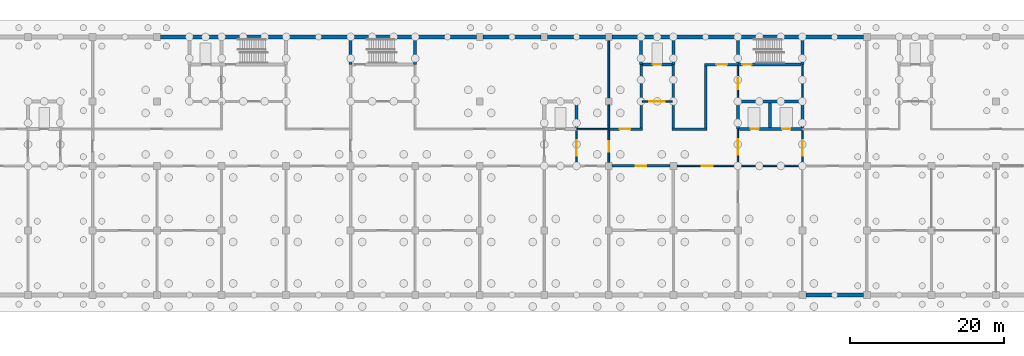
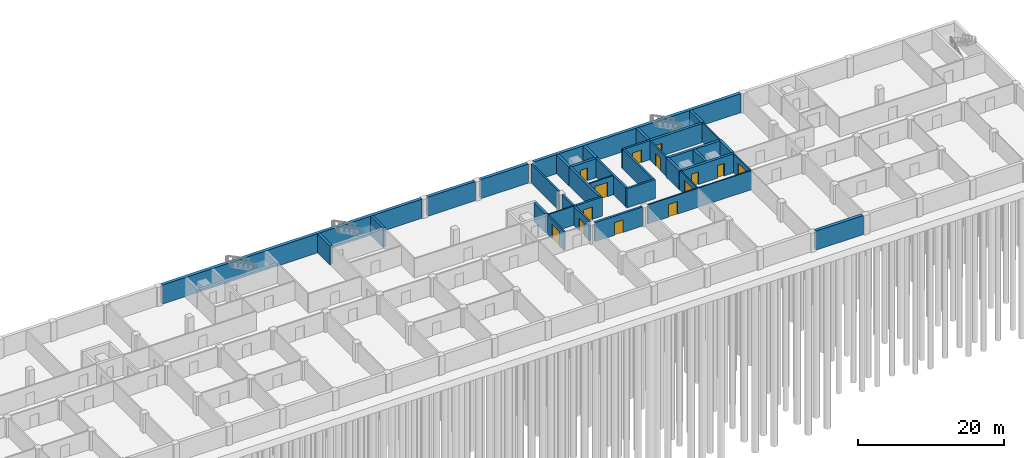
# One storey, part 7 of 11: 37 walls, 14 doors, 14 openings.
"""IFC4 building model written with IfcOpenShell, lengths in metres."""

from ifc_helpers import new_model, si_unit, direction, frame, frame_2d, origin, place, context, subcontext, project, spatial, rectangle, extrude, material, layer, layer_set, type_object, element, fill, save


model = new_model("IFC4")

# Units and contexts
model_context = context("Model", 3, precision=1e-05, world=origin(), true_north=direction((0.0, 1.0)))
body_context = subcontext(model_context, "Body", "Model", "MODEL_VIEW")
ifc_project = project(units=[si_unit("LENGTHUNIT", "METRE"), si_unit("AREAUNIT", "SQUARE_METRE"), si_unit("VOLUMEUNIT", "CUBIC_METRE"), si_unit("PLANEANGLEUNIT", "RADIAN"), si_unit("MASSUNIT", "GRAM", prefix="KILO")], contexts=[model_context])

# Site, building, storey
site_placement = place(None, origin())
site = spatial("IfcSite", under=ifc_project, at=site_placement, CompositionType="ELEMENT")
building_placement = place(site_placement, origin())
building = spatial("IfcBuilding", under=site, at=building_placement, Name="Yavir Park General Hospital", CompositionType="ELEMENT")
storey_placement = place(building_placement, frame((0.0, 0.0, -15.0)))
storey = spatial("IfcBuildingStorey", under=building, at=storey_placement, Name="B4", CompositionType="ELEMENT", Elevation=-15.0)

# Wall, opening, door
ifc_material_1 = material(Name="Block wall with 100 mm insulated panel lining")
ifc_layer_1 = layer(ifc_material_1, 0.320068359375)
ifc_layer_set_1 = layer_set([ifc_layer_1], Name="Block wall with 100 mm insulated panel lining")
wall_type_1 = type_object("IfcWallType", Name="Cold-store insulated wall 320, EI 60", PredefinedType="SOLIDWALL", material=ifc_layer_set_1)
wall_1_placement = place(storey_placement, frame((101.25, 16.800048828125, 0.0), z_axis=(0.0, 0.0, 1.0), x_axis=(1.0, 0.0, 0.0)))
wall_1 = element("IfcWall", 1, at=wall_1_placement, inside=storey, type_object=wall_type_1, Name="CS320 B4-021", PredefinedType="SOLIDWALL", context=body_context, shape_type="SweptSolid", body=[
    extrude(rectangle(XDim=7.5, YDim=0.320068359375, at=frame_2d((3.75, 0.0))), origin(), (0.0, 0.0, 1.0), 3.199951171875),
])
opening_1_placement = place(wall_1_placement, frame((3.050048828125, 0.0, 0.0)))
opening_1 = element("IfcOpeningElement", 2, at=opening_1_placement, cuts=wall_1, Name="Opening B4.D023", PredefinedType="OPENING", context=body_context, shape_type="SweptSolid", body=[
    extrude(rectangle(XDim=1.39990234375, YDim=2.10009765625, at=frame_2d((0.699951171875, 1.050048828125))), frame((0.0, 0.169921875, 0.0), z_axis=(0.0, -1.0, 0.0), x_axis=(1.0, 0.0, 0.0)), (0.0, 0.0, 1.0), 0.340087890625),
])
ifc_material_2 = material(Name="Insulated sandwich-panel leaves, 100 mm polyurethane core")
door_type_1 = type_object("IfcDoorType", Name="Insulated cold-store door 1400 x 2100, EI 60", OperationType="DOUBLE_DOOR_SINGLE_SWING", PredefinedType="DOOR", material=ifc_material_2)
door_1_placement = place(opening_1_placement, origin())
door_1 = element("IfcDoor", 3, at=door_1_placement, inside=storey, type_object=door_type_1, Name="B4.D023", OperationType="SINGLE_SWING_LEFT", OverallHeight=2.10009765625, OverallWidth=1.39990234375, PredefinedType="DOOR", context=body_context, shape_type="SweptSolid", body=[
    extrude(rectangle(XDim=1.39990234375, YDim=2.10009765625, at=frame_2d((0.699951171875, 1.050048828125))), frame((0.0, 0.050048828125, 0.0), z_axis=(0.0, -1.0, 0.0), x_axis=(1.0, 0.0, 0.0)), (0.0, 0.0, 1.0), 0.10009765625),
])
fill(opening_1, door_1)

wall_2_placement = place(storey_placement, frame((100.800048828125, 21.60009765625, 0.0), z_axis=(0.0, 0.0, 1.0), x_axis=(1.0, 0.0, 0.0)))
wall_2 = element("IfcWall", 4, at=wall_2_placement, inside=storey, type_object=wall_type_1, Name="CS320 B4-035", PredefinedType="SOLIDWALL", context=body_context, shape_type="SweptSolid", body=[
    extrude(rectangle(XDim=4.35986328125, YDim=0.320068359375, at=frame_2d((2.179931640625, 0.0))), origin(), (0.0, 0.0, 1.0), 3.199951171875),
])
opening_2_placement = place(wall_2_placement, frame((1.39990234375, 0.0, 0.0)))
opening_2 = element("IfcOpeningElement", 5, at=opening_2_placement, cuts=wall_2, Name="Opening B4.D037", PredefinedType="OPENING", context=body_context, shape_type="SweptSolid", body=[
    extrude(rectangle(XDim=1.39990234375, YDim=2.10009765625, at=frame_2d((0.699951171875, 1.050048828125))), frame((0.0, 0.169921875, 0.0), z_axis=(0.0, -1.0, 0.0), x_axis=(1.0, 0.0, 0.0)), (0.0, 0.0, 1.0), 0.340087890625),
])
door_2_placement = place(opening_2_placement, origin())
door_2 = element("IfcDoor", 6, at=door_2_placement, inside=storey, type_object=door_type_1, Name="B4.D037", OperationType="SINGLE_SWING_RIGHT", OverallHeight=2.10009765625, OverallWidth=1.39990234375, PredefinedType="DOOR", context=body_context, shape_type="SweptSolid", body=[
    extrude(rectangle(XDim=1.39990234375, YDim=2.10009765625, at=frame_2d((0.699951171875, 1.050048828125))), frame((0.0, 0.050048828125, 0.0), z_axis=(0.0, -1.0, 0.0), x_axis=(1.0, 0.0, 0.0)), (0.0, 0.0, 1.0), 0.10009765625),
])
fill(opening_2, door_2)

# Wall
wall_3_placement = place(storey_placement, frame((109.0400390625, 21.60009765625, 0.0), z_axis=(0.0, 0.0, 1.0), x_axis=(1.0, 0.0, 0.0)))
element("IfcWall", 7, at=wall_3_placement, inside=storey, type_object=wall_type_1, Name="CS320 B4-036", PredefinedType="SOLIDWALL", context=body_context, shape_type="SweptSolid", body=[
    extrude(rectangle(XDim=4.52001953125, YDim=0.320068359375, at=frame_2d((2.260009765625, 0.0))), origin(), (0.0, 0.0, 1.0), 3.199951171875),
])

# Wall, opening, door
wall_4_placement = place(storey_placement, frame((113.239990234375, 30.0, 0.0), z_axis=(0.0, 0.0, 1.0), x_axis=(1.0, 0.0, 0.0)))
wall_4 = element("IfcWall", 8, at=wall_4_placement, inside=storey, type_object=wall_type_1, Name="CS320 B4-054", PredefinedType="SOLIDWALL", context=body_context, shape_type="SweptSolid", body=[
    extrude(rectangle(XDim=4.360107421875, YDim=0.320068359375, at=frame_2d((2.18017578125, 0.0))), origin(), (0.0, 0.0, 1.0), 3.199951171875),
])
opening_3_placement = place(wall_4_placement, frame((1.56005859375, 0.0, 0.0)))
opening_3 = element("IfcOpeningElement", 9, at=opening_3_placement, cuts=wall_4, Name="Opening B4.D053", PredefinedType="OPENING", context=body_context, shape_type="SweptSolid", body=[
    extrude(rectangle(XDim=1.39990234375, YDim=2.10009765625, at=frame_2d((0.699951171875, 1.050048828125))), frame((0.0, 0.169921875, 0.0), z_axis=(0.0, -1.0, 0.0), x_axis=(1.0, 0.0, 0.0)), (0.0, 0.0, 1.0), 0.340087890625),
])
door_3_placement = place(opening_3_placement, origin())
door_3 = element("IfcDoor", 10, at=door_3_placement, inside=storey, type_object=door_type_1, Name="B4.D053", OperationType="SINGLE_SWING_LEFT", OverallHeight=2.10009765625, OverallWidth=1.39990234375, PredefinedType="DOOR", context=body_context, shape_type="SweptSolid", body=[
    extrude(rectangle(XDim=1.39990234375, YDim=2.10009765625, at=frame_2d((0.699951171875, 1.050048828125))), frame((0.0, 0.050048828125, 0.0), z_axis=(0.0, -1.0, 0.0), x_axis=(1.0, 0.0, 0.0)), (0.0, 0.0, 1.0), 0.10009765625),
])
fill(opening_3, door_3)

# Walls
for number, where, z_axis, x_axis, name in (
    (11, (105.0, 21.760009765625, 0.0), (0.0, 0.0, 1.0), (0.0, 1.0, 0.0), "CS320 B4-109"),
    (12, (109.199951171875, 21.760009765625, 0.0), (0.0, 0.0, 1.0), (0.0, 1.0, 0.0), "CS320 B4-113"),
):
    element("IfcWall", number, at=place(storey_placement, frame(where, z_axis=z_axis, x_axis=x_axis)), inside=storey, type_object=wall_type_1, Name=name, PredefinedType="SOLIDWALL", context=body_context, shape_type="SweptSolid", body=[
        extrude(rectangle(XDim=8.239990234375, YDim=0.320068359375, at=frame_2d((4.1201171875, 0.0))), origin(), (0.0, 0.0, 1.0), 3.199951171875),
    ])
wall_5_placement = place(storey_placement, frame((113.39990234375, 21.760009765625, 0.0), z_axis=(0.0, 0.0, 1.0), x_axis=(0.0, 1.0, 0.0)))
element("IfcWall", 13, at=wall_5_placement, inside=storey, type_object=wall_type_1, Name="CS320 B4-115", PredefinedType="SOLIDWALL", context=body_context, shape_type="SweptSolid", body=[
    extrude(rectangle(XDim=8.080078125, YDim=0.320068359375, at=frame_2d((4.0400390625, 0.0))), origin(), (0.0, 0.0, 1.0), 3.199951171875),
])

# Wall, opening, door
ifc_material_3 = material(Name="Concrete C30/37", Category="concrete")
ifc_layer_2 = layer(ifc_material_3, 0.25)
ifc_layer_set_2 = layer_set([ifc_layer_2], Name="Concrete C30/37")
wall_type_2 = type_object("IfcWallType", Name="Compartment fire wall 250, REI 150", PredefinedType="SOLIDWALL", material=ifc_layer_set_2)
wall_6_placement = place(storey_placement, frame((100.800048828125, 17.25, 0.0), z_axis=(0.0, 0.0, 1.0), x_axis=(0.0, 1.0, 0.0)))
wall_6 = element("IfcWall", 14, at=wall_6_placement, inside=storey, type_object=wall_type_2, Name="FW25 B4-106", PredefinedType="SOLIDWALL", context=body_context, shape_type="SweptSolid", body=[
    extrude(rectangle(XDim=4.18994140625, YDim=0.25, at=frame_2d((2.094970703125, 0.0))), origin(), (0.0, 0.0, 1.0), 3.199951171875),
])
opening_4_placement = place(wall_6_placement, frame((1.39501953125, 0.0, 0.0)))
opening_4 = element("IfcOpeningElement", 15, at=opening_4_placement, cuts=wall_6, Name="Opening B4.D064", PredefinedType="OPENING", context=body_context, shape_type="SweptSolid", body=[
    extrude(rectangle(XDim=1.39990234375, YDim=2.10009765625, at=frame_2d((0.699951171875, 1.050048828125))), frame((0.0, 0.135009765625, 0.0), z_axis=(0.0, -1.0, 0.0), x_axis=(1.0, 0.0, 0.0)), (0.0, 0.0, 1.0), 0.27001953125),
])
ifc_material_4 = material(Name="Steel frame, fire-resisting leaves with vision panels", Category="steel")
door_type_2 = type_object("IfcDoorType", Name="Double fire door with vision panels 1400 x 2100, EI 60", OperationType="DOUBLE_DOOR_SINGLE_SWING", PredefinedType="DOOR", material=ifc_material_4)
door_4_placement = place(opening_4_placement, origin())
door_4 = element("IfcDoor", 16, at=door_4_placement, inside=storey, type_object=door_type_2, Name="B4.D064", OperationType="SINGLE_SWING_RIGHT", OverallHeight=2.10009765625, OverallWidth=1.39990234375, PredefinedType="DOOR", context=body_context, shape_type="SweptSolid", body=[
    extrude(rectangle(XDim=1.39990234375, YDim=2.10009765625, at=frame_2d((0.699951171875, 1.050048828125))), frame((0.0, 0.030029296875, 0.0), z_axis=(0.0, -1.0, 0.0), x_axis=(1.0, 0.0, 0.0)), (0.0, 0.0, 1.0), 0.06005859375),
])
fill(opening_4, door_4)

# Walls
wall_7_placement = place(storey_placement, frame((100.800048828125, 21.760009765625, 0.0), z_axis=(0.0, 0.0, 1.0), x_axis=(0.0, 1.0, 0.0)))
element("IfcWall", 17, at=wall_7_placement, inside=storey, type_object=wall_type_2, Name="FW25 B4-107", PredefinedType="SOLIDWALL", context=body_context, shape_type="SweptSolid", body=[
    extrude(rectangle(XDim=2.989990234375, YDim=0.25, at=frame_2d((1.4951171875, 0.0))), origin(), (0.0, 0.0, 1.0), 3.199951171875),
])
wall_8_placement = place(storey_placement, frame((100.800048828125, 25.64990234375, 0.0), z_axis=(0.0, 0.0, 1.0), x_axis=(0.0, 1.0, 0.0)))
element("IfcWall", 18, at=wall_8_placement, inside=storey, type_object=wall_type_2, Name="FW25 B4-108", PredefinedType="SOLIDWALL", context=body_context, shape_type="SweptSolid", body=[
    extrude(rectangle(XDim=7.5, YDim=0.25, at=frame_2d((3.75, 0.0))), origin(), (0.0, 0.0, 1.0), 3.199951171875),
])

# Wall, opening, door
ifc_material_5 = material(Name="Double gypsum board fire partition on steel studs", Category="steel")
ifc_layer_3 = layer(ifc_material_5, 0.199951171875)
ifc_layer_set_3 = layer_set([ifc_layer_3], Name="Double gypsum board fire partition on steel studs")
wall_type_3 = type_object("IfcWallType", Name="Fire-rated partition 200, EI 60", PredefinedType="PARTITIONING", material=ifc_layer_set_3)
wall_9_placement = place(storey_placement, frame((109.64990234375, 16.800048828125, 0.0), z_axis=(0.0, 0.0, 1.0), x_axis=(1.0, 0.0, 0.0)))
wall_9 = element("IfcWall", 19, at=wall_9_placement, inside=storey, type_object=wall_type_3, Name="FP20 B4-022", PredefinedType="PARTITIONING", context=body_context, shape_type="SweptSolid", body=[
    extrude(rectangle(XDim=16.35009765625, YDim=0.199951171875, at=frame_2d((8.175048828125, 0.0))), origin(), (0.0, 0.0, 1.0), 3.199951171875),
])
opening_5_placement = place(wall_9_placement, frame((3.27490234375, 0.0, 0.0)))
opening_5 = element("IfcOpeningElement", 20, at=opening_5_placement, cuts=wall_9, Name="Opening B4.D024", PredefinedType="OPENING", context=body_context, shape_type="SweptSolid", body=[
    extrude(rectangle(XDim=1.39990234375, YDim=2.10009765625, at=frame_2d((0.699951171875, 1.050048828125))), frame((0.0, 0.10986328125, 0.0), z_axis=(0.0, -1.0, 0.0), x_axis=(1.0, 0.0, 0.0)), (0.0, 0.0, 1.0), 0.219970703125),
])
ifc_material_6 = material(Name="Steel frame, fire-resisting timber leaves", Category="steel")
door_type_3 = type_object("IfcDoorType", Name="Double fire door 1400 x 2100, EI 60", OperationType="DOUBLE_DOOR_SINGLE_SWING", PredefinedType="DOOR", material=ifc_material_6)
door_5_placement = place(opening_5_placement, origin())
door_5 = element("IfcDoor", 21, at=door_5_placement, inside=storey, type_object=door_type_3, Name="B4.D024", OperationType="SINGLE_SWING_RIGHT", OverallHeight=2.10009765625, OverallWidth=1.39990234375, PredefinedType="DOOR", context=body_context, shape_type="SweptSolid", body=[
    extrude(rectangle(XDim=1.39990234375, YDim=2.10009765625, at=frame_2d((0.699951171875, 1.050048828125))), frame((0.0, 0.02490234375, 0.0), z_axis=(0.0, -1.0, 0.0), x_axis=(1.0, 0.0, 0.0)), (0.0, 0.0, 1.0), 0.050048828125),
])
fill(opening_5, door_5)

# Wall
wall_10_placement = place(storey_placement, frame((96.60009765625, 21.60009765625, 0.0), z_axis=(0.0, 0.0, 1.0), x_axis=(1.0, 0.0, 0.0)))
element("IfcWall", 22, at=wall_10_placement, inside=storey, type_object=wall_type_3, Name="FP20 B4-034", PredefinedType="PARTITIONING", context=body_context, shape_type="SweptSolid", body=[
    extrude(rectangle(XDim=4.199951171875, YDim=0.199951171875, at=frame_2d((2.10009765625, 0.0))), origin(), (0.0, 0.0, 1.0), 3.199951171875),
])

# Wall, opening, door
wall_11_placement = place(storey_placement, frame((105.159912109375, 25.199951171875, 0.0), z_axis=(0.0, 0.0, 1.0), x_axis=(1.0, 0.0, 0.0)))
wall_11 = element("IfcWall", 23, at=wall_11_placement, inside=storey, type_object=wall_type_3, Name="FP20 B4-046", PredefinedType="PARTITIONING", context=body_context, shape_type="SweptSolid", body=[
    extrude(rectangle(XDim=3.880126953125, YDim=0.199951171875, at=frame_2d((1.93994140625, 0.0))), origin(), (0.0, 0.0, 1.0), 3.199951171875),
])
opening_6_placement = place(wall_11_placement, frame((0.93994140625, 0.0, 0.0)))
opening_6 = element("IfcOpeningElement", 24, at=opening_6_placement, cuts=wall_11, Name="Opening B4.D046", PredefinedType="OPENING", context=body_context, shape_type="SweptSolid", body=[
    extrude(rectangle(XDim=2.0, YDim=2.39990234375, at=frame_2d((1.0, 1.199951171875))), frame((0.0, 0.10986328125, 0.0), z_axis=(0.0, -1.0, 0.0), x_axis=(1.0, 0.0, 0.0)), (0.0, 0.0, 1.0), 0.219970703125),
])
ifc_material_7 = material(Name="Steel frame, fire-resisting leaves with vision panels", Category="steel")
door_type_4 = type_object("IfcDoorType", Name="Double fire door with vision panels 2000 x 2400, EI 60", OperationType="DOUBLE_DOOR_SINGLE_SWING", PredefinedType="DOOR", material=ifc_material_7)
door_6_placement = place(opening_6_placement, origin())
door_6 = element("IfcDoor", 25, at=door_6_placement, inside=storey, type_object=door_type_4, Name="B4.D046", OperationType="SINGLE_SWING_LEFT", OverallHeight=2.39990234375, OverallWidth=2.0, PredefinedType="DOOR", context=body_context, shape_type="SweptSolid", body=[
    extrude(rectangle(XDim=2.0, YDim=2.39990234375, at=frame_2d((1.0, 1.199951171875))), frame((0.0, 0.030029296875, 0.0), z_axis=(0.0, -1.0, 0.0), x_axis=(1.0, 0.0, 0.0)), (0.0, 0.0, 1.0), 0.06005859375),
])
fill(opening_6, door_6)

wall_12_placement = place(storey_placement, frame((96.60009765625, 16.89990234375, 0.0), z_axis=(0.0, 0.0, 1.0), x_axis=(0.0, 1.0, 0.0)))
wall_12 = element("IfcWall", 26, at=wall_12_placement, inside=storey, type_object=wall_type_3, Name="FP20 B4-102", PredefinedType="PARTITIONING", context=body_context, shape_type="SweptSolid", body=[
    extrude(rectangle(XDim=4.5, YDim=0.199951171875, at=frame_2d((2.25, 0.0))), origin(), (0.0, 0.0, 1.0), 3.199951171875),
])
opening_7_placement = place(wall_12_placement, frame((1.25, 0.0, 0.0)))
opening_7 = element("IfcOpeningElement", 27, at=opening_7_placement, cuts=wall_12, Name="Opening B4.D063", PredefinedType="OPENING", context=body_context, shape_type="SweptSolid", body=[
    extrude(rectangle(XDim=2.0, YDim=2.39990234375, at=frame_2d((1.0, 1.199951171875))), frame((0.0, 0.10986328125, 0.0), z_axis=(0.0, -1.0, 0.0), x_axis=(1.0, 0.0, 0.0)), (0.0, 0.0, 1.0), 0.219970703125),
])
door_7_placement = place(opening_7_placement, origin())
door_7 = element("IfcDoor", 28, at=door_7_placement, inside=storey, type_object=door_type_4, Name="B4.D063", OperationType="SINGLE_SWING_LEFT", OverallHeight=2.39990234375, OverallWidth=2.0, PredefinedType="DOOR", context=body_context, shape_type="SweptSolid", body=[
    extrude(rectangle(XDim=2.0, YDim=2.39990234375, at=frame_2d((1.0, 1.199951171875))), frame((0.0, 0.030029296875, 0.0), z_axis=(0.0, -1.0, 0.0), x_axis=(1.0, 0.0, 0.0)), (0.0, 0.0, 1.0), 0.06005859375),
])
fill(opening_7, door_7)

wall_13_placement = place(storey_placement, frame((117.60009765625, 16.89990234375, 0.0), z_axis=(0.0, 0.0, 1.0), x_axis=(0.0, 1.0, 0.0)))
wall_13 = element("IfcWall", 29, at=wall_13_placement, inside=storey, type_object=wall_type_3, Name="FP20 B4-118", PredefinedType="PARTITIONING", context=body_context, shape_type="SweptSolid", body=[
    extrude(rectangle(XDim=4.7001953125, YDim=0.199951171875, at=frame_2d((2.35009765625, 0.0))), origin(), (0.0, 0.0, 1.0), 3.199951171875),
])
opening_8_placement = place(wall_13_placement, frame((1.35009765625, 0.0, 0.0)))
opening_8 = element("IfcOpeningElement", 30, at=opening_8_placement, cuts=wall_13, Name="Opening B4.D066", PredefinedType="OPENING", context=body_context, shape_type="SweptSolid", body=[
    extrude(rectangle(XDim=2.0, YDim=2.39990234375, at=frame_2d((1.0, 1.199951171875))), frame((0.0, 0.10986328125, 0.0), z_axis=(0.0, -1.0, 0.0), x_axis=(1.0, 0.0, 0.0)), (0.0, 0.0, 1.0), 0.219970703125),
])
door_8_placement = place(opening_8_placement, origin())
door_8 = element("IfcDoor", 31, at=door_8_placement, inside=storey, type_object=door_type_4, Name="B4.D066", OperationType="SINGLE_SWING_LEFT", OverallHeight=2.39990234375, OverallWidth=2.0, PredefinedType="DOOR", context=body_context, shape_type="SweptSolid", body=[
    extrude(rectangle(XDim=2.0, YDim=2.39990234375, at=frame_2d((1.0, 1.199951171875))), frame((0.0, 0.030029296875, 0.0), z_axis=(0.0, -1.0, 0.0), x_axis=(1.0, 0.0, 0.0)), (0.0, 0.0, 1.0), 0.06005859375),
])
fill(opening_8, door_8)

wall_14_placement = place(storey_placement, frame((117.60009765625, 25.199951171875, 0.0), z_axis=(0.0, 0.0, 1.0), x_axis=(0.0, 1.0, 0.0)))
wall_14 = element("IfcWall", 32, at=wall_14_placement, inside=storey, type_object=wall_type_3, Name="FP20 B4-120", PredefinedType="PARTITIONING", context=body_context, shape_type="SweptSolid", body=[
    extrude(rectangle(XDim=4.60009765625, YDim=0.199951171875, at=frame_2d((2.300048828125, 0.0))), origin(), (0.0, 0.0, 1.0), 3.199951171875),
])
opening_9_placement = place(wall_14_placement, frame((1.60009765625, 0.0, 0.0)))
opening_9 = element("IfcOpeningElement", 33, at=opening_9_placement, cuts=wall_14, Name="Opening B4.D067", PredefinedType="OPENING", context=body_context, shape_type="SweptSolid", body=[
    extrude(rectangle(XDim=1.39990234375, YDim=2.10009765625, at=frame_2d((0.699951171875, 1.050048828125))), frame((0.0, 0.10986328125, 0.0), z_axis=(0.0, -1.0, 0.0), x_axis=(1.0, 0.0, 0.0)), (0.0, 0.0, 1.0), 0.219970703125),
])
door_9_placement = place(opening_9_placement, origin())
door_9 = element("IfcDoor", 34, at=door_9_placement, inside=storey, type_object=door_type_2, Name="B4.D067", OperationType="SINGLE_SWING_LEFT", OverallHeight=2.10009765625, OverallWidth=1.39990234375, PredefinedType="DOOR", context=body_context, shape_type="SweptSolid", body=[
    extrude(rectangle(XDim=1.39990234375, YDim=2.10009765625, at=frame_2d((0.699951171875, 1.050048828125))), frame((0.0, 0.030029296875, 0.0), z_axis=(0.0, -1.0, 0.0), x_axis=(1.0, 0.0, 0.0)), (0.0, 0.0, 1.0), 0.06005859375),
])
fill(opening_9, door_9)

wall_15_placement = place(storey_placement, frame((126.0, 16.89990234375, 0.0), z_axis=(0.0, 0.0, 1.0), x_axis=(0.0, 1.0, 0.0)))
wall_15 = element("IfcWall", 35, at=wall_15_placement, inside=storey, type_object=wall_type_3, Name="FP20 B4-125", PredefinedType="PARTITIONING", context=body_context, shape_type="SweptSolid", body=[
    extrude(rectangle(XDim=4.5, YDim=0.199951171875, at=frame_2d((2.25, 0.0))), origin(), (0.0, 0.0, 1.0), 3.199951171875),
])
opening_10_placement = place(wall_15_placement, frame((1.25, 0.0, 0.0)))
opening_10 = element("IfcOpeningElement", 36, at=opening_10_placement, cuts=wall_15, Name="Opening B4.D068", PredefinedType="OPENING", context=body_context, shape_type="SweptSolid", body=[
    extrude(rectangle(XDim=2.0, YDim=2.39990234375, at=frame_2d((1.0, 1.199951171875))), frame((0.0, 0.10986328125, 0.0), z_axis=(0.0, -1.0, 0.0), x_axis=(1.0, 0.0, 0.0)), (0.0, 0.0, 1.0), 0.219970703125),
])
door_10_placement = place(opening_10_placement, origin())
door_10 = element("IfcDoor", 37, at=door_10_placement, inside=storey, type_object=door_type_4, Name="B4.D068", OperationType="SINGLE_SWING_LEFT", OverallHeight=2.39990234375, OverallWidth=2.0, PredefinedType="DOOR", context=body_context, shape_type="SweptSolid", body=[
    extrude(rectangle(XDim=2.0, YDim=2.39990234375, at=frame_2d((1.0, 1.199951171875))), frame((0.0, 0.030029296875, 0.0), z_axis=(0.0, -1.0, 0.0), x_axis=(1.0, 0.0, 0.0)), (0.0, 0.0, 1.0), 0.06005859375),
])
fill(opening_10, door_10)

# Walls
wall_16_placement = place(storey_placement, frame((126.0, 25.199951171875, 0.0), z_axis=(0.0, 0.0, 1.0), x_axis=(0.0, 1.0, 0.0)))
element("IfcWall", 38, at=wall_16_placement, inside=storey, type_object=wall_type_3, Name="FP20 B4-127", PredefinedType="PARTITIONING", context=body_context, shape_type="SweptSolid", body=[
    extrude(rectangle(XDim=4.800048828125, YDim=0.199951171875, at=frame_2d((2.39990234375, 0.0))), origin(), (0.0, 0.0, 1.0), 3.199951171875),
])
ifc_material_8 = material(Name="Concrete C35/45", Category="concrete")
ifc_layer_4 = layer(ifc_material_8, 0.5)
ifc_layer_set_4 = layer_set([ifc_layer_4], Name="Concrete C35/45")
wall_type_4 = type_object("IfcWallType", Name="RC WALL RETAINING 500", PredefinedType="SOLIDWALL", material=ifc_layer_set_4)
wall_17_placement = place(storey_placement, frame((126.449951171875, 0.0, 0.0), z_axis=(0.0, 0.0, 1.0), x_axis=(1.0, 0.0, 0.0)))
element("IfcWall", 39, at=wall_17_placement, inside=storey, type_object=wall_type_4, Name="W:RET:B4:S15", PredefinedType="SOLIDWALL", context=body_context, shape_type="SweptSolid", body=[
    extrude(rectangle(XDim=7.5, YDim=0.5, at=frame_2d((3.75, 0.0))), origin(), (0.0, 0.0, 1.0), 3.199951171875),
])
wall_18_placement = place(storey_placement, frame((42.449951171875, 33.60009765625, 0.0), z_axis=(0.0, 0.0, 1.0), x_axis=(1.0, 0.0, 0.0)))
element("IfcWall", 40, at=wall_18_placement, inside=storey, type_object=wall_type_4, Name="W:RET:B4:N24", PredefinedType="SOLIDWALL", context=body_context, shape_type="SweptSolid", body=[
    extrude(rectangle(XDim=41.10009765625, YDim=0.5, at=frame_2d((20.550048828125, 0.0))), origin(), (0.0, 0.0, 1.0), 3.199951171875),
])
for number, where, z_axis, x_axis, name in (
    (41, (84.449951171875, 33.60009765625, 0.0), (0.0, 0.0, 1.0), (1.0, 0.0, 0.0), "W:RET:B4:N25"),
    (42, (92.85009765625, 33.60009765625, 0.0), (0.0, 0.0, 1.0), (1.0, 0.0, 0.0), "W:RET:B4:N26"),
):
    element("IfcWall", number, at=place(storey_placement, frame(where, z_axis=z_axis, x_axis=x_axis)), inside=storey, type_object=wall_type_4, Name=name, PredefinedType="SOLIDWALL", context=body_context, shape_type="SweptSolid", body=[
        extrude(rectangle(XDim=7.5, YDim=0.5, at=frame_2d((3.75, 0.0))), origin(), (0.0, 0.0, 1.0), 3.199951171875),
    ])
wall_19_placement = place(storey_placement, frame((101.25, 33.60009765625, 0.0), z_axis=(0.0, 0.0, 1.0), x_axis=(1.0, 0.0, 0.0)))
element("IfcWall", 43, at=wall_19_placement, inside=storey, type_object=wall_type_4, Name="W:RET:B4:N27", PredefinedType="SOLIDWALL", context=body_context, shape_type="SweptSolid", body=[
    extrude(rectangle(XDim=32.699951171875, YDim=0.5, at=frame_2d((16.35009765625, 0.0))), origin(), (0.0, 0.0, 1.0), 3.199951171875),
])

# Wall, openings, doors
ifc_material_9 = material(Name="Concrete C35/45", Category="concrete")
ifc_layer_5 = layer(ifc_material_9, 0.39990234375)
ifc_layer_set_5 = layer_set([ifc_layer_5], Name="Concrete C35/45")
wall_type_5 = type_object("IfcWallType", Name="Reinforced concrete core wall 400, REI 150", PredefinedType="SHEAR", material=ifc_layer_set_5)
wall_20_placement = place(storey_placement, frame((117.800048828125, 21.60009765625, 0.0), z_axis=(0.0, 0.0, 1.0), x_axis=(1.0, 0.0, 0.0)))
wall_20 = element("IfcWall", 44, at=wall_20_placement, inside=storey, type_object=wall_type_5, Name="CW40 B4-037", PredefinedType="SHEAR", context=body_context, shape_type="SweptSolid", body=[
    extrude(rectangle(XDim=8.199951171875, YDim=0.39990234375, at=frame_2d((4.10009765625, 0.0))), origin(), (0.0, 0.0, 1.0), 3.199951171875),
])
opening_11_placement = place(wall_20_placement, frame((1.449951171875, 0.0, 0.0)))
opening_11 = element("IfcOpeningElement", 45, at=opening_11_placement, cuts=wall_20, Name="Opening B4.D038", PredefinedType="OPENING", context=body_context, shape_type="SweptSolid", body=[
    extrude(rectangle(XDim=1.10009765625, YDim=2.10009765625, at=frame_2d((0.550048828125, 1.050048828125))), frame((0.0, 0.2099609375, 0.0), z_axis=(0.0, -1.0, 0.0), x_axis=(1.0, 0.0, 0.0)), (0.0, 0.0, 1.0), 0.419921875),
])
opening_12_placement = place(wall_20_placement, frame((5.550048828125, 0.0, 0.0)))
opening_12 = element("IfcOpeningElement", 46, at=opening_12_placement, cuts=wall_20, Name="Opening B4.D039", PredefinedType="OPENING", context=body_context, shape_type="SweptSolid", body=[
    extrude(rectangle(XDim=1.10009765625, YDim=2.10009765625, at=frame_2d((0.550048828125, 1.050048828125))), frame((0.0, 0.2099609375, 0.0), z_axis=(0.0, -1.0, 0.0), x_axis=(1.0, 0.0, 0.0)), (0.0, 0.0, 1.0), 0.419921875),
])
ifc_material_10 = material(Name="Stainless steel landing door panels", Category="steel")
door_type_5 = type_object("IfcDoorType", Name="Lift landing door 1100 x 2100, EI 60", OperationType="SLIDING_TO_LEFT", PredefinedType="DOOR", material=ifc_material_10)
door_11_placement = place(opening_11_placement, origin())
door_11 = element("IfcDoor", 47, at=door_11_placement, inside=storey, type_object=door_type_5, Name="B4.D038", OperationType="SLIDING_TO_LEFT", OverallHeight=2.10009765625, OverallWidth=1.10009765625, PredefinedType="DOOR", context=body_context, shape_type="SweptSolid", body=[
    extrude(rectangle(XDim=1.10009765625, YDim=2.10009765625, at=frame_2d((0.550048828125, 1.050048828125))), frame((0.0, 0.02490234375, 0.0), z_axis=(0.0, -1.0, 0.0), x_axis=(1.0, 0.0, 0.0)), (0.0, 0.0, 1.0), 0.050048828125),
])
fill(opening_11, door_11)
door_12_placement = place(opening_12_placement, origin())
door_12 = element("IfcDoor", 48, at=door_12_placement, inside=storey, type_object=door_type_5, Name="B4.D039", OperationType="SLIDING_TO_LEFT", OverallHeight=2.10009765625, OverallWidth=1.10009765625, PredefinedType="DOOR", context=body_context, shape_type="SweptSolid", body=[
    extrude(rectangle(XDim=1.10009765625, YDim=2.10009765625, at=frame_2d((0.550048828125, 1.050048828125))), frame((0.0, 0.02490234375, 0.0), z_axis=(0.0, -1.0, 0.0), x_axis=(1.0, 0.0, 0.0)), (0.0, 0.0, 1.0), 0.050048828125),
])
fill(opening_12, door_12)

# Wall
wall_21_placement = place(storey_placement, frame((117.800048828125, 25.199951171875, 0.0), z_axis=(0.0, 0.0, 1.0), x_axis=(1.0, 0.0, 0.0)))
element("IfcWall", 49, at=wall_21_placement, inside=storey, type_object=wall_type_5, Name="CW40 B4-047", PredefinedType="SHEAR", context=body_context, shape_type="SweptSolid", body=[
    extrude(rectangle(XDim=8.0, YDim=0.39990234375, at=frame_2d((4.0, 0.0))), origin(), (0.0, 0.0, 1.0), 3.199951171875),
])

# Wall, opening, door
wall_22_placement = place(storey_placement, frame((105.199951171875, 30.0, 0.0), z_axis=(0.0, 0.0, 1.0), x_axis=(1.0, 0.0, 0.0)))
wall_22 = element("IfcWall", 50, at=wall_22_placement, inside=storey, type_object=wall_type_5, Name="CW40 B4-053", PredefinedType="SHEAR", context=body_context, shape_type="SweptSolid", body=[
    extrude(rectangle(XDim=3.800048828125, YDim=0.39990234375, at=frame_2d((1.89990234375, 0.0))), origin(), (0.0, 0.0, 1.0), 3.199951171875),
])
opening_13_placement = place(wall_22_placement, frame((1.35009765625, 0.0, 0.0)))
opening_13 = element("IfcOpeningElement", 51, at=opening_13_placement, cuts=wall_22, Name="Opening B4.D052", PredefinedType="OPENING", context=body_context, shape_type="SweptSolid", body=[
    extrude(rectangle(XDim=1.10009765625, YDim=2.10009765625, at=frame_2d((0.550048828125, 1.050048828125))), frame((0.0, 0.2099609375, 0.0), z_axis=(0.0, -1.0, 0.0), x_axis=(1.0, 0.0, 0.0)), (0.0, 0.0, 1.0), 0.419921875),
])
door_13_placement = place(opening_13_placement, origin())
door_13 = element("IfcDoor", 52, at=door_13_placement, inside=storey, type_object=door_type_5, Name="B4.D052", OperationType="SLIDING_TO_LEFT", OverallHeight=2.10009765625, OverallWidth=1.10009765625, PredefinedType="DOOR", context=body_context, shape_type="SweptSolid", body=[
    extrude(rectangle(XDim=1.10009765625, YDim=2.10009765625, at=frame_2d((0.550048828125, 1.050048828125))), frame((0.0, 0.02490234375, 0.0), z_axis=(0.0, -1.0, 0.0), x_axis=(1.0, 0.0, 0.0)), (0.0, 0.0, 1.0), 0.050048828125),
])
fill(opening_13, door_13)

wall_23_placement = place(storey_placement, frame((117.60009765625, 30.0, 0.0), z_axis=(0.0, 0.0, 1.0), x_axis=(1.0, 0.0, 0.0)))
wall_23 = element("IfcWall", 53, at=wall_23_placement, inside=storey, type_object=wall_type_5, Name="CW40 B4-055", PredefinedType="SHEAR", context=body_context, shape_type="SweptSolid", body=[
    extrude(rectangle(XDim=8.199951171875, YDim=0.39990234375, at=frame_2d((4.10009765625, 0.0))), origin(), (0.0, 0.0, 1.0), 3.199951171875),
])
opening_14_placement = place(wall_23_placement, frame((0.60009765625, 0.0, 0.0)))
opening_14 = element("IfcOpeningElement", 54, at=opening_14_placement, cuts=wall_23, Name="Opening B4.D054", PredefinedType="OPENING", context=body_context, shape_type="SweptSolid", body=[
    extrude(rectangle(XDim=1.199951171875, YDim=2.10009765625, at=frame_2d((0.60009765625, 1.050048828125))), frame((0.0, 0.2099609375, 0.0), z_axis=(0.0, -1.0, 0.0), x_axis=(1.0, 0.0, 0.0)), (0.0, 0.0, 1.0), 0.419921875),
])
ifc_material_11 = material(Name="Steel frame, fire-resisting timber leaf", Category="steel")
door_type_6 = type_object("IfcDoorType", Name="Fire door 1200 x 2100, EI 60", OperationType="SINGLE_SWING_LEFT", PredefinedType="DOOR", material=ifc_material_11)
door_14_placement = place(opening_14_placement, origin())
door_14 = element("IfcDoor", 55, at=door_14_placement, inside=storey, type_object=door_type_6, Name="B4.D054", OperationType="SINGLE_SWING_RIGHT", OverallHeight=2.10009765625, OverallWidth=1.199951171875, PredefinedType="DOOR", context=body_context, shape_type="SweptSolid", body=[
    extrude(rectangle(XDim=1.199951171875, YDim=2.10009765625, at=frame_2d((0.60009765625, 1.050048828125))), frame((0.0, 0.02490234375, 0.0), z_axis=(0.0, -1.0, 0.0), x_axis=(1.0, 0.0, 0.0)), (0.0, 0.0, 1.0), 0.050048828125),
])
fill(opening_14, door_14)

# Walls
for number, where, z_axis, x_axis, name in (
    (56, (67.199951171875, 30.0, 0.0), (0.0, 0.0, 1.0), (0.0, 1.0, 0.0), "CW40 B4-091"),
    (57, (75.60009765625, 30.0, 0.0), (0.0, 0.0, 1.0), (0.0, 1.0, 0.0), "CW40 B4-095"),
):
    element("IfcWall", number, at=place(storey_placement, frame(where, z_axis=z_axis, x_axis=x_axis)), inside=storey, type_object=wall_type_5, Name=name, PredefinedType="SHEAR", context=body_context, shape_type="SweptSolid", body=[
        extrude(rectangle(XDim=3.35009765625, YDim=0.39990234375, at=frame_2d((1.675048828125, 0.0))), origin(), (0.0, 0.0, 1.0), 3.199951171875),
    ])
wall_24_placement = place(storey_placement, frame((96.60009765625, 21.800048828125, 0.0), z_axis=(0.0, 0.0, 1.0), x_axis=(0.0, 1.0, 0.0)))
element("IfcWall", 58, at=wall_24_placement, inside=storey, type_object=wall_type_5, Name="CW40 B4-103", PredefinedType="SHEAR", context=body_context, shape_type="SweptSolid", body=[
    extrude(rectangle(XDim=3.199951171875, YDim=0.39990234375, at=frame_2d((1.60009765625, 0.0))), origin(), (0.0, 0.0, 1.0), 3.199951171875),
])
for number, where, z_axis, x_axis, name in (
    (59, (105.0, 30.0, 0.0), (0.0, 0.0, 1.0), (0.0, 1.0, 0.0), "CW40 B4-110"),
    (60, (109.199951171875, 30.0, 0.0), (0.0, 0.0, 1.0), (0.0, 1.0, 0.0), "CW40 B4-114"),
):
    element("IfcWall", number, at=place(storey_placement, frame(where, z_axis=z_axis, x_axis=x_axis)), inside=storey, type_object=wall_type_5, Name=name, PredefinedType="SHEAR", context=body_context, shape_type="SweptSolid", body=[
        extrude(rectangle(XDim=3.35009765625, YDim=0.39990234375, at=frame_2d((1.675048828125, 0.0))), origin(), (0.0, 0.0, 1.0), 3.199951171875),
    ])
wall_25_placement = place(storey_placement, frame((117.60009765625, 21.60009765625, 0.0), z_axis=(0.0, 0.0, 1.0), x_axis=(0.0, 1.0, 0.0)))
element("IfcWall", 61, at=wall_25_placement, inside=storey, type_object=wall_type_5, Name="CW40 B4-119", PredefinedType="SHEAR", context=body_context, shape_type="SweptSolid", body=[
    extrude(rectangle(XDim=3.599853515625, YDim=0.39990234375, at=frame_2d((1.7998046875, 0.0))), origin(), (0.0, 0.0, 1.0), 3.199951171875),
])
wall_26_placement = place(storey_placement, frame((117.60009765625, 30.199951171875, 0.0), z_axis=(0.0, 0.0, 1.0), x_axis=(0.0, 1.0, 0.0)))
element("IfcWall", 62, at=wall_26_placement, inside=storey, type_object=wall_type_5, Name="CW40 B4-121", PredefinedType="SHEAR", context=body_context, shape_type="SweptSolid", body=[
    extrude(rectangle(XDim=3.150146484375, YDim=0.39990234375, at=frame_2d((1.5751953125, 0.0))), origin(), (0.0, 0.0, 1.0), 3.199951171875),
])
wall_27_placement = place(storey_placement, frame((121.800048828125, 21.800048828125, 0.0), z_axis=(0.0, 0.0, 1.0), x_axis=(0.0, 1.0, 0.0)))
element("IfcWall", 63, at=wall_27_placement, inside=storey, type_object=wall_type_5, Name="CW40 B4-122", PredefinedType="SHEAR", context=body_context, shape_type="SweptSolid", body=[
    extrude(rectangle(XDim=3.199951171875, YDim=0.39990234375, at=frame_2d((1.60009765625, 0.0))), origin(), (0.0, 0.0, 1.0), 3.199951171875),
])
wall_28_placement = place(storey_placement, frame((126.0, 21.800048828125, 0.0), z_axis=(0.0, 0.0, 1.0), x_axis=(0.0, 1.0, 0.0)))
element("IfcWall", 64, at=wall_28_placement, inside=storey, type_object=wall_type_5, Name="CW40 B4-126", PredefinedType="SHEAR", context=body_context, shape_type="SweptSolid", body=[
    extrude(rectangle(XDim=3.39990234375, YDim=0.39990234375, at=frame_2d((1.699951171875, 0.0))), origin(), (0.0, 0.0, 1.0), 3.199951171875),
])
wall_29_placement = place(storey_placement, frame((126.0, 30.0, 0.0), z_axis=(0.0, 0.0, 1.0), x_axis=(0.0, 1.0, 0.0)))
element("IfcWall", 65, at=wall_29_placement, inside=storey, type_object=wall_type_5, Name="CW40 B4-128", PredefinedType="SHEAR", context=body_context, shape_type="SweptSolid", body=[
    extrude(rectangle(XDim=3.35009765625, YDim=0.39990234375, at=frame_2d((1.675048828125, 0.0))), origin(), (0.0, 0.0, 1.0), 3.199951171875),
])

save(model, "model.ifc")
